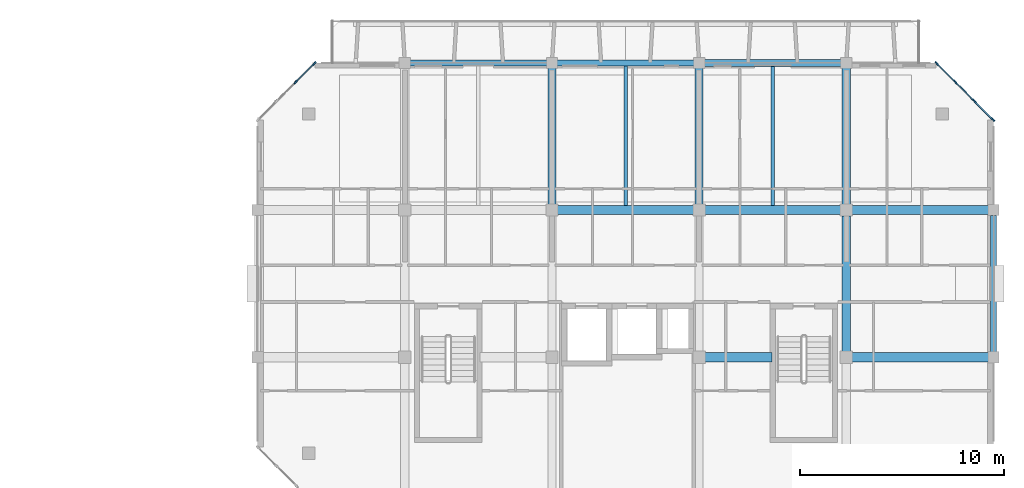
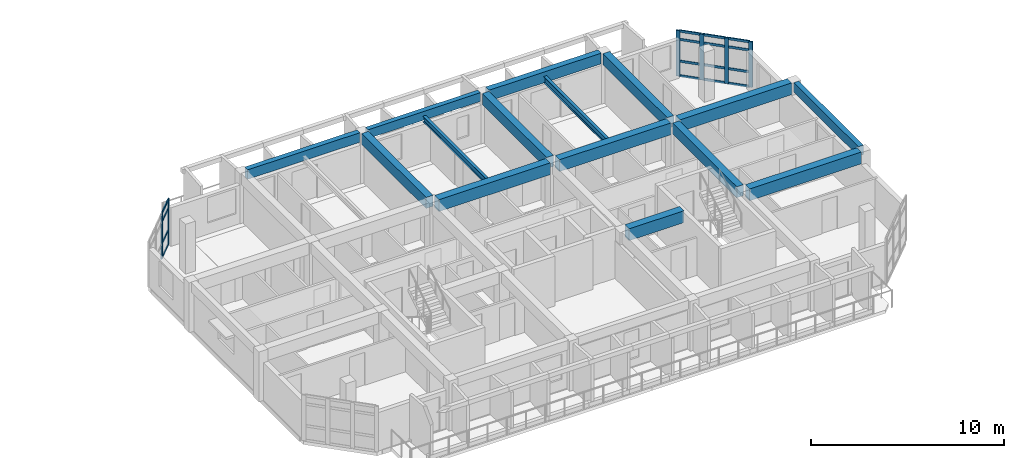
# One storey, part 9 of 43: 22 members, 15 beams, 2 elements without a shape of their own.
"""IFC4 building model written with IfcOpenShell, lengths in metres."""

from ifc_helpers import new_model, si_unit, direction, frame, origin, origin_2d, place, context, subcontext, project, spatial, rectangle, i_section, extrude, material, layer, layer_set, material_profile, profile_set, type_object, element, aggregate, save


model = new_model("IFC4")

# Units and contexts
model_context = context("Model", 3, precision=1e-05, world=origin(), true_north=direction((0.0, 1.0)))
body_context = subcontext(model_context, "Body", "Model", "MODEL_VIEW")
ifc_project = project(units=[si_unit("LENGTHUNIT", "METRE"), si_unit("AREAUNIT", "SQUARE_METRE"), si_unit("VOLUMEUNIT", "CUBIC_METRE"), si_unit("PLANEANGLEUNIT", "RADIAN"), si_unit("MASSUNIT", "GRAM", prefix="KILO")], contexts=[model_context])

# Site, building, storey
site_placement = place(None, origin())
site = spatial("IfcSite", under=ifc_project, at=site_placement, CompositionType="ELEMENT")
building_placement = place(site_placement, origin())
building = spatial("IfcBuilding", under=site, at=building_placement, Name="Ochrevale Crest", CompositionType="ELEMENT")
storey_placement = place(building_placement, frame((0.0, 0.0, 15.0)))
storey = spatial("IfcBuildingStorey", under=building, at=storey_placement, Name="L04", CompositionType="ELEMENT", Elevation=15.0)

# Beams
ifc_material_1 = material(Name="Precast concrete C50/60", Category="concrete")
ifc_material_profile_1 = material_profile(ifc_material_1, rectangle(XDim=0.39990234375, YDim=0.699951171875, at=origin_2d()), Name="PC 400x700")
ifc_profile_set_1 = profile_set([ifc_material_profile_1], Name="Precast concrete C50/60")
beam_type_1 = type_object("IfcBeamType", Name="BM-PC400x700", PredefinedType="BEAM", material=ifc_profile_set_1)
for number, where, z_axis, x_axis, name in (
    (1, (144.0, 86.679931640625, 2.800048828125), (0.0, 1.0, 0.0), (-1.0, 0.0, 0.0), "Block D L04 N-S beam X=144.0"),
    (2, (151.199951171875, 86.679931640625, 2.800048828125), (0.0, 1.0, 0.0), (-1.0, 0.0, 0.0), "Block D L04 N-S beam X=151.2"),
):
    element("IfcBeam", number, at=place(storey_placement, frame(where, z_axis=z_axis, x_axis=x_axis)), inside=storey, type_object=beam_type_1, Name=name, PredefinedType="BEAM", context=body_context, shape_type="SweptSolid", body=[
        extrude(rectangle(XDim=0.39990234375, YDim=0.699951171875, at=origin_2d()), origin(), (0.0, 0.0, 1.0), 6.6650390625),
    ])
beam_1_placement = place(storey_placement, frame((158.39990234375, 79.47998046875, 2.800048828125), z_axis=(0.0, 1.0, 0.0), x_axis=(-1.0, 0.0, 0.0)))
element("IfcBeam", 3, at=beam_1_placement, inside=storey, type_object=beam_type_1, Name="Block D L04 N-S beam X=158.4", PredefinedType="BEAM", context=body_context, shape_type="SweptSolid", body=[
    extrude(rectangle(XDim=0.39990234375, YDim=0.699951171875, at=origin_2d()), origin(), (0.0, 0.0, 1.0), 6.64013671875),
])
beam_2_placement = place(storey_placement, frame((158.39990234375, 86.679931640625, 2.800048828125), z_axis=(0.0, 1.0, 0.0), x_axis=(-1.0, 0.0, 0.0)))
element("IfcBeam", 4, at=beam_2_placement, inside=storey, type_object=beam_type_1, Name="Block D L04 N-S beam X=158.4", PredefinedType="BEAM", context=body_context, shape_type="SweptSolid", body=[
    extrude(rectangle(XDim=0.39990234375, YDim=0.699951171875, at=origin_2d()), origin(), (0.0, 0.0, 1.0), 6.6650390625),
])
ifc_material_2 = material(Name="Concrete C50/60", Category="concrete")
ifc_material_profile_2 = material_profile(ifc_material_2, rectangle(XDim=0.449951171875, YDim=0.75, at=origin_2d()), Name="RC 450x750")
ifc_profile_set_2 = profile_set([ifc_material_profile_2], Name="Concrete C50/60")
beam_type_2 = type_object("IfcBeamType", Name="BM-PG450x750", PredefinedType="USERDEFINED", material=ifc_profile_set_2)
beam_3_placement = place(storey_placement, frame((151.47509765625, 79.199951171875, 2.77490234375), z_axis=(1.0, 0.0, 0.0), x_axis=(0.0, 1.0, 0.0)))
element("IfcBeam", 5, at=beam_3_placement, inside=storey, type_object=beam_type_2, Name="Block D L04 E-W beam Y=79.2", ObjectType="GIRDER", PredefinedType="USERDEFINED", context=body_context, shape_type="SweptSolid", body=[
    extrude(rectangle(XDim=0.449951171875, YDim=0.75, at=origin_2d()), origin(), (0.0, 0.0, 1.0), 3.284912109375),
])
beam_4_placement = place(storey_placement, frame((158.675048828125, 79.199951171875, 2.77490234375), z_axis=(1.0, 0.0, 0.0), x_axis=(0.0, 1.0, 0.0)))
element("IfcBeam", 6, at=beam_4_placement, inside=storey, type_object=beam_type_2, Name="Block D L04 E-W beam Y=79.2", ObjectType="GIRDER", PredefinedType="USERDEFINED", context=body_context, shape_type="SweptSolid", body=[
    extrude(rectangle(XDim=0.449951171875, YDim=0.75, at=origin_2d()), origin(), (0.0, 0.0, 1.0), 6.675048828125),
])
beam_5_placement = place(storey_placement, frame((144.27490234375, 86.39990234375, 2.77490234375), z_axis=(1.0, 0.0, 0.0), x_axis=(0.0, 1.0, 0.0)))
element("IfcBeam", 7, at=beam_5_placement, inside=storey, type_object=beam_type_2, Name="Block D L04 E-W beam Y=86.4", ObjectType="GIRDER", PredefinedType="USERDEFINED", context=body_context, shape_type="SweptSolid", body=[
    extrude(rectangle(XDim=0.449951171875, YDim=0.75, at=origin_2d()), origin(), (0.0, 0.0, 1.0), 6.650146484375),
])
beam_6_placement = place(storey_placement, frame((151.47509765625, 86.39990234375, 2.77490234375), z_axis=(1.0, 0.0, 0.0), x_axis=(0.0, 1.0, 0.0)))
element("IfcBeam", 8, at=beam_6_placement, inside=storey, type_object=beam_type_2, Name="Block D L04 E-W beam Y=86.4", ObjectType="GIRDER", PredefinedType="USERDEFINED", context=body_context, shape_type="SweptSolid", body=[
    extrude(rectangle(XDim=0.449951171875, YDim=0.75, at=origin_2d()), origin(), (0.0, 0.0, 1.0), 6.64990234375),
])
beam_7_placement = place(storey_placement, frame((158.675048828125, 86.39990234375, 2.77490234375), z_axis=(1.0, 0.0, 0.0), x_axis=(0.0, 1.0, 0.0)))
element("IfcBeam", 9, at=beam_7_placement, inside=storey, type_object=beam_type_2, Name="Block D L04 E-W beam Y=86.4", ObjectType="GIRDER", PredefinedType="USERDEFINED", context=body_context, shape_type="SweptSolid", body=[
    extrude(rectangle(XDim=0.449951171875, YDim=0.75, at=origin_2d()), origin(), (0.0, 0.0, 1.0), 6.675048828125),
])
ifc_material_3 = material(Name="Precast concrete C40/50", Category="concrete")
ifc_material_profile_3 = material_profile(ifc_material_3, rectangle(XDim=0.280029296875, YDim=0.550048828125, at=origin_2d()), Name="PC 280x550")
ifc_profile_set_3 = profile_set([ifc_material_profile_3], Name="Precast concrete C40/50")
beam_type_3 = type_object("IfcBeamType", Name="BM-SP280x550", PredefinedType="SPANDREL", material=ifc_profile_set_3)
beam_8_placement = place(storey_placement, frame((144.25, 93.60009765625, 2.875), z_axis=(1.0, 0.0, 0.0), x_axis=(0.0, 1.0, 0.0)))
element("IfcBeam", 10, at=beam_8_placement, inside=storey, type_object=beam_type_3, Name="Block D L04 E-W beam Y=93.6", PredefinedType="SPANDREL", context=body_context, shape_type="SweptSolid", body=[
    extrude(rectangle(XDim=0.280029296875, YDim=0.550048828125, at=origin_2d()), origin(), (0.0, 0.0, 1.0), 6.699951171875),
])
ifc_material_profile_4 = material_profile(ifc_material_3, rectangle(XDim=0.300048828125, YDim=0.60009765625, at=origin_2d()), Name="PC 300x600")
ifc_profile_set_4 = profile_set([ifc_material_profile_4], Name="Precast concrete C40/50")
beam_type_4 = type_object("IfcBeamType", Name="BM-SP300x600", PredefinedType="SPANDREL", material=ifc_profile_set_4)
beam_9_placement = place(storey_placement, frame((137.050048828125, 93.60009765625, 2.85009765625), z_axis=(1.0, 0.0, 0.0), x_axis=(0.0, 1.0, 0.0)))
element("IfcBeam", 11, at=beam_9_placement, inside=storey, type_object=beam_type_4, Name="Block D L04 E-W beam Y=93.6", PredefinedType="SPANDREL", context=body_context, shape_type="SweptSolid", body=[
    extrude(rectangle(XDim=0.300048828125, YDim=0.60009765625, at=origin_2d()), origin(), (0.0, 0.0, 1.0), 6.699951171875),
])
beam_10_placement = place(storey_placement, frame((165.60009765625, 79.455078125, 2.85009765625), z_axis=(0.0, 1.0, 0.0), x_axis=(-1.0, 0.0, 0.0)))
element("IfcBeam", 12, at=beam_10_placement, inside=storey, type_object=beam_type_4, Name="Block D L04 N-S beam X=165.6", PredefinedType="SPANDREL", context=body_context, shape_type="SweptSolid", body=[
    extrude(rectangle(XDim=0.300048828125, YDim=0.60009765625, at=origin_2d()), origin(), (0.0, 0.0, 1.0), 6.68994140625),
])
ifc_material_profile_5 = material_profile(ifc_material_3, rectangle(XDim=0.35009765625, YDim=0.679931640625, at=origin_2d()), Name="PC 350x680")
ifc_profile_set_5 = profile_set([ifc_material_profile_5], Name="Precast concrete C40/50")
beam_type_5 = type_object("IfcBeamType", Name="BM-SP350x680", PredefinedType="SPANDREL", material=ifc_profile_set_5)
beam_11_placement = place(storey_placement, frame((151.449951171875, 93.60009765625, 2.81005859375), z_axis=(1.0, 0.0, 0.0), x_axis=(0.0, 1.0, 0.0)))
element("IfcBeam", 13, at=beam_11_placement, inside=storey, type_object=beam_type_5, Name="Block D L04 E-W beam Y=93.6", PredefinedType="SPANDREL", context=body_context, shape_type="SweptSolid", body=[
    extrude(rectangle(XDim=0.35009765625, YDim=0.679931640625, at=origin_2d()), origin(), (0.0, 0.0, 1.0), 6.699951171875),
])
ifc_material_4 = material(Name="Steel S355", Category="steel")
ifc_material_profile_6 = material_profile(ifc_material_4, i_section(OverallWidth=0.172119140625, OverallDepth=0.358642578125, WebThickness=0.008056640625, FlangeThickness=0.012939453125, FilletRadius=0.011474609375, at=origin_2d()), Name="360UB56.7")
ifc_profile_set_6 = profile_set([ifc_material_profile_6], Name="Steel S355")
beam_type_6 = type_object("IfcBeamType", Name="BM-UB360B", PredefinedType="BEAM", material=ifc_profile_set_6)
beam_12_placement = place(storey_placement, frame((147.60009765625, 86.613037109375, 2.69580078125), z_axis=(0.0, 1.0, 0.0), x_axis=(-1.0, 0.0, 0.0)))
element("IfcBeam", 14, at=beam_12_placement, inside=storey, type_object=beam_type_6, Name="Block D L04 composite plank trimmer beam 3", PredefinedType="BEAM", context=body_context, shape_type="SweptSolid", body=[
    extrude(i_section(OverallWidth=0.172119140625, OverallDepth=0.358642578125, WebThickness=0.008056640625, FlangeThickness=0.012939453125, FilletRadius=0.011474609375, at=origin_2d()), origin(), (0.0, 0.0, 1.0), 6.85888671875),
])
ifc_material_profile_7 = material_profile(ifc_material_4, i_section(OverallWidth=0.177734375, OverallDepth=0.402587890625, WebThickness=0.007568359375, FlangeThickness=0.010986328125, FilletRadius=0.011474609375, at=origin_2d()), Name="410UB53.7")
ifc_profile_set_7 = profile_set([ifc_material_profile_7], Name="Steel S355")
beam_type_7 = type_object("IfcBeamType", Name="BM-UB410A", PredefinedType="BEAM", material=ifc_profile_set_7)
beam_13_placement = place(storey_placement, frame((154.800048828125, 86.613037109375, 2.673583984375), z_axis=(0.0, 1.0, 0.0), x_axis=(-1.0, 0.0, 0.0)))
element("IfcBeam", 15, at=beam_13_placement, inside=storey, type_object=beam_type_7, Name="Block D L04 composite plank trimmer beam 4", PredefinedType="BEAM", context=body_context, shape_type="SweptSolid", body=[
    extrude(i_section(OverallWidth=0.177734375, OverallDepth=0.402587890625, WebThickness=0.007568359375, FlangeThickness=0.010986328125, FilletRadius=0.011474609375, at=origin_2d()), origin(), (0.0, 0.0, 1.0), 6.823974609375),
])

# Curtain wall, members
ifc_material_5 = material(Name="Anodised aluminium 6063-T5", Category="aluminium")
ifc_layer_1 = layer(ifc_material_5, 0.14990234375)
ifc_layer_set_1 = layer_set([ifc_layer_1], Name="Anodised aluminium 6063-T5")
curtain_wall_type_1 = type_object("IfcCurtainWallType", Name="CW-WG-360x285", PredefinedType="NOTDEFINED", material=ifc_layer_set_1)
curtain_wall_1_placement = place(storey_placement, origin())
curtain_wall_1 = element("IfcCurtainWall", 16, at=curtain_wall_1_placement, inside=storey, type_object=curtain_wall_type_1, Name="Block D L04 chamfered corner wintergarden curtain wall 4", PredefinedType="NOTDEFINED")
ifc_material_profile_8 = material_profile(ifc_material_5, rectangle(XDim=0.074951171875, YDim=0.219970703125, at=origin_2d()), Name="ALU 75x220")
ifc_profile_set_8 = profile_set([ifc_material_profile_8], Name="Anodised aluminium 6063-T5")
member_type_1 = type_object("IfcMemberType", Name="CW-MUL-75x220", PredefinedType="MULLION", material=ifc_profile_set_8)
member_1_placement = place(storey_placement, frame((165.573486328125, 90.826416015625, 0.0), z_axis=(0.0, 0.0, 1.0), x_axis=(-0.707106781187, -0.707106781187, 0.0)))
member_1 = element("IfcMember", 17, at=member_1_placement, type_object=member_type_1, Name="CW18 mullion 1", PredefinedType="MULLION", context=body_context, shape_type="SweptSolid", body=[
    extrude(rectangle(XDim=0.074951171875, YDim=0.219970703125, at=origin_2d()), origin(), (0.0, 0.0, 1.0), 2.875),
])
member_2_placement = place(storey_placement, frame((164.666748046875, 91.7333984375, 0.0), z_axis=(0.0, 0.0, 1.0), x_axis=(-0.707106781187, -0.707106781187, 0.0)))
member_2 = element("IfcMember", 18, at=member_2_placement, type_object=member_type_1, Name="CW18 mullion 2", PredefinedType="MULLION", context=body_context, shape_type="SweptSolid", body=[
    extrude(rectangle(XDim=0.074951171875, YDim=0.219970703125, at=origin_2d()), origin(), (0.0, 0.0, 1.0), 2.875),
])
member_3_placement = place(storey_placement, frame((163.7333984375, 92.666748046875, 0.0), z_axis=(0.0, 0.0, 1.0), x_axis=(-0.707106781187, -0.707106781187, 0.0)))
member_3 = element("IfcMember", 19, at=member_3_placement, type_object=member_type_1, Name="CW18 mullion 3", PredefinedType="MULLION", context=body_context, shape_type="SweptSolid", body=[
    extrude(rectangle(XDim=0.074951171875, YDim=0.219970703125, at=origin_2d()), origin(), (0.0, 0.0, 1.0), 2.875),
])
member_4_placement = place(storey_placement, frame((162.826416015625, 93.573486328125, 0.0), z_axis=(0.0, 0.0, 1.0), x_axis=(-0.707106781187, -0.707106781187, 0.0)))
member_4 = element("IfcMember", 20, at=member_4_placement, type_object=member_type_1, Name="CW18 mullion 4", PredefinedType="MULLION", context=body_context, shape_type="SweptSolid", body=[
    extrude(rectangle(XDim=0.074951171875, YDim=0.219970703125, at=origin_2d()), origin(), (0.0, 0.0, 1.0), 2.875),
])

ifc_layer_2 = layer(ifc_material_5, 0.14990234375)
ifc_layer_set_2 = layer_set([ifc_layer_2], Name="Anodised aluminium 6063-T5")
curtain_wall_type_2 = type_object("IfcCurtainWallType", Name="CW-WG-240x285", PredefinedType="NOTDEFINED", material=ifc_layer_set_2)
curtain_wall_2_placement = place(storey_placement, origin())
curtain_wall_2 = element("IfcCurtainWall", 21, at=curtain_wall_2_placement, inside=storey, type_object=curtain_wall_type_2, Name="Block D L04 chamfered corner wintergarden curtain wall 6", PredefinedType="NOTDEFINED")
member_5_placement = place(storey_placement, frame((132.37353515625, 93.573486328125, 0.0), z_axis=(0.0, 0.0, 1.0), x_axis=(0.707106781187, -0.707106781187, 0.0)))
member_5 = element("IfcMember", 22, at=member_5_placement, type_object=member_type_1, Name="CW15 mullion 1", PredefinedType="MULLION", context=body_context, shape_type="SweptSolid", body=[
    extrude(rectangle(XDim=0.074951171875, YDim=0.219970703125, at=origin_2d()), origin(), (0.0, 0.0, 1.0), 2.875),
])
member_6_placement = place(storey_placement, frame((131.466552734375, 92.666748046875, 0.0), z_axis=(0.0, 0.0, 1.0), x_axis=(0.707106781187, -0.707106781187, 0.0)))
member_6 = element("IfcMember", 23, at=member_6_placement, type_object=member_type_1, Name="CW15 mullion 2", PredefinedType="MULLION", context=body_context, shape_type="SweptSolid", body=[
    extrude(rectangle(XDim=0.074951171875, YDim=0.219970703125, at=origin_2d()), origin(), (0.0, 0.0, 1.0), 2.875),
])

# Member
ifc_material_profile_9 = material_profile(ifc_material_5, rectangle(XDim=0.06005859375, YDim=0.14990234375, at=origin_2d()), Name="ALU 60x150")
ifc_profile_set_9 = profile_set([ifc_material_profile_9], Name="Anodised aluminium 6063-T5")
member_type_2 = type_object("IfcMemberType", Name="CW-TRN-60x150", PredefinedType="USERDEFINED", material=ifc_profile_set_9)
member_7_placement = place(storey_placement, frame((165.546875, 90.85302734375, 0.030029296875), z_axis=(-0.707106781187, 0.707106781187, 0.0), x_axis=(-0.707106781187, -0.707106781187, 0.0)))
member_7 = element("IfcMember", 24, at=member_7_placement, type_object=member_type_2, Name="CW18 transom 1.1", ObjectType="TRANSOM", PredefinedType="USERDEFINED", context=body_context, shape_type="SweptSolid", body=[
    extrude(rectangle(XDim=0.06005859375, YDim=0.14990234375, at=origin_2d()), origin(), (0.0, 0.0, 1.0), 1.20751953125),
])

member_8_placement = place(storey_placement, frame((165.546875, 90.85302734375, 0.949951171875), z_axis=(-0.707106781187, 0.707106781187, 0.0), x_axis=(-0.707106781187, -0.707106781187, 0.0)))
member_8 = element("IfcMember", 25, at=member_8_placement, type_object=member_type_2, Name="CW18 transom 1.2", ObjectType="TRANSOM", PredefinedType="USERDEFINED", context=body_context, shape_type="SweptSolid", body=[
    extrude(rectangle(XDim=0.06005859375, YDim=0.14990234375, at=origin_2d()), origin(), (0.0, 0.0, 1.0), 1.20751953125),
])

member_9_placement = place(storey_placement, frame((165.546875, 90.85302734375, 2.324951171875), z_axis=(-0.707106781187, 0.707106781187, 0.0), x_axis=(-0.707106781187, -0.707106781187, 0.0)))
member_9 = element("IfcMember", 26, at=member_9_placement, type_object=member_type_2, Name="CW18 transom 1.3", ObjectType="TRANSOM", PredefinedType="USERDEFINED", context=body_context, shape_type="SweptSolid", body=[
    extrude(rectangle(XDim=0.06005859375, YDim=0.14990234375, at=origin_2d()), origin(), (0.0, 0.0, 1.0), 1.20751953125),
])

member_10_placement = place(storey_placement, frame((165.546875, 90.85302734375, 2.844970703125), z_axis=(-0.707106781187, 0.707106781187, 0.0), x_axis=(-0.707106781187, -0.707106781187, 0.0)))
member_10 = element("IfcMember", 27, at=member_10_placement, type_object=member_type_2, Name="CW18 transom 1.4", ObjectType="TRANSOM", PredefinedType="USERDEFINED", context=body_context, shape_type="SweptSolid", body=[
    extrude(rectangle(XDim=0.06005859375, YDim=0.14990234375, at=origin_2d()), origin(), (0.0, 0.0, 1.0), 1.20751953125),
])

member_11_placement = place(storey_placement, frame((164.64013671875, 91.759765625, 0.030029296875), z_axis=(-0.707106781187, 0.707106781187, 0.0), x_axis=(-0.707106781187, -0.707106781187, 0.0)))
member_11 = element("IfcMember", 28, at=member_11_placement, type_object=member_type_2, Name="CW18 transom 2.1", ObjectType="TRANSOM", PredefinedType="USERDEFINED", context=body_context, shape_type="SweptSolid", body=[
    extrude(rectangle(XDim=0.06005859375, YDim=0.14990234375, at=origin_2d()), origin(), (0.0, 0.0, 1.0), 1.2451171875),
])

member_12_placement = place(storey_placement, frame((164.64013671875, 91.759765625, 0.949951171875), z_axis=(-0.707106781187, 0.707106781187, 0.0), x_axis=(-0.707106781187, -0.707106781187, 0.0)))
member_12 = element("IfcMember", 29, at=member_12_placement, type_object=member_type_2, Name="CW18 transom 2.2", ObjectType="TRANSOM", PredefinedType="USERDEFINED", context=body_context, shape_type="SweptSolid", body=[
    extrude(rectangle(XDim=0.06005859375, YDim=0.14990234375, at=origin_2d()), origin(), (0.0, 0.0, 1.0), 1.2451171875),
])

member_13_placement = place(storey_placement, frame((164.64013671875, 91.759765625, 2.324951171875), z_axis=(-0.707106781187, 0.707106781187, 0.0), x_axis=(-0.707106781187, -0.707106781187, 0.0)))
member_13 = element("IfcMember", 30, at=member_13_placement, type_object=member_type_2, Name="CW18 transom 2.3", ObjectType="TRANSOM", PredefinedType="USERDEFINED", context=body_context, shape_type="SweptSolid", body=[
    extrude(rectangle(XDim=0.06005859375, YDim=0.14990234375, at=origin_2d()), origin(), (0.0, 0.0, 1.0), 1.2451171875),
])

member_14_placement = place(storey_placement, frame((164.64013671875, 91.759765625, 2.844970703125), z_axis=(-0.707106781187, 0.707106781187, 0.0), x_axis=(-0.707106781187, -0.707106781187, 0.0)))
member_14 = element("IfcMember", 31, at=member_14_placement, type_object=member_type_2, Name="CW18 transom 2.4", ObjectType="TRANSOM", PredefinedType="USERDEFINED", context=body_context, shape_type="SweptSolid", body=[
    extrude(rectangle(XDim=0.06005859375, YDim=0.14990234375, at=origin_2d()), origin(), (0.0, 0.0, 1.0), 1.2451171875),
])

member_15_placement = place(storey_placement, frame((163.706787109375, 92.693115234375, 0.030029296875), z_axis=(-0.707106781187, 0.707106781187, 0.0), x_axis=(-0.707106781187, -0.707106781187, 0.0)))
member_15 = element("IfcMember", 32, at=member_15_placement, type_object=member_type_2, Name="CW18 transom 3.1", ObjectType="TRANSOM", PredefinedType="USERDEFINED", context=body_context, shape_type="SweptSolid", body=[
    extrude(rectangle(XDim=0.06005859375, YDim=0.14990234375, at=origin_2d()), origin(), (0.0, 0.0, 1.0), 1.20751953125),
])

member_16_placement = place(storey_placement, frame((163.706787109375, 92.693115234375, 0.949951171875), z_axis=(-0.707106781187, 0.707106781187, 0.0), x_axis=(-0.707106781187, -0.707106781187, 0.0)))
member_16 = element("IfcMember", 33, at=member_16_placement, type_object=member_type_2, Name="CW18 transom 3.2", ObjectType="TRANSOM", PredefinedType="USERDEFINED", context=body_context, shape_type="SweptSolid", body=[
    extrude(rectangle(XDim=0.06005859375, YDim=0.14990234375, at=origin_2d()), origin(), (0.0, 0.0, 1.0), 1.20751953125),
])

member_17_placement = place(storey_placement, frame((163.706787109375, 92.693115234375, 2.324951171875), z_axis=(-0.707106781187, 0.707106781187, 0.0), x_axis=(-0.707106781187, -0.707106781187, 0.0)))
member_17 = element("IfcMember", 34, at=member_17_placement, type_object=member_type_2, Name="CW18 transom 3.3", ObjectType="TRANSOM", PredefinedType="USERDEFINED", context=body_context, shape_type="SweptSolid", body=[
    extrude(rectangle(XDim=0.06005859375, YDim=0.14990234375, at=origin_2d()), origin(), (0.0, 0.0, 1.0), 1.20751953125),
])

member_18_placement = place(storey_placement, frame((163.706787109375, 92.693115234375, 2.844970703125), z_axis=(-0.707106781187, 0.707106781187, 0.0), x_axis=(-0.707106781187, -0.707106781187, 0.0)))
member_18 = element("IfcMember", 35, at=member_18_placement, type_object=member_type_2, Name="CW18 transom 3.4", ObjectType="TRANSOM", PredefinedType="USERDEFINED", context=body_context, shape_type="SweptSolid", body=[
    extrude(rectangle(XDim=0.06005859375, YDim=0.14990234375, at=origin_2d()), origin(), (0.0, 0.0, 1.0), 1.20751953125),
])

aggregate(curtain_wall_1, [member_1, member_2, member_3, member_4, member_7, member_8, member_9, member_10, member_11, member_12, member_13, member_14, member_15, member_16, member_17, member_18])

member_19_placement = place(storey_placement, frame((132.346923828125, 93.546875, 0.030029296875), z_axis=(-0.707106781187, -0.707106781187, 0.0), x_axis=(0.707106781187, -0.707106781187, 0.0)))
member_19 = element("IfcMember", 36, at=member_19_placement, type_object=member_type_2, Name="CW15 transom 1.1", ObjectType="TRANSOM", PredefinedType="USERDEFINED", context=body_context, shape_type="SweptSolid", body=[
    extrude(rectangle(XDim=0.06005859375, YDim=0.14990234375, at=origin_2d()), origin(), (0.0, 0.0, 1.0), 1.20751953125),
])

member_20_placement = place(storey_placement, frame((132.346923828125, 93.546875, 0.949951171875), z_axis=(-0.707106781187, -0.707106781187, 0.0), x_axis=(0.707106781187, -0.707106781187, 0.0)))
member_20 = element("IfcMember", 37, at=member_20_placement, type_object=member_type_2, Name="CW15 transom 1.2", ObjectType="TRANSOM", PredefinedType="USERDEFINED", context=body_context, shape_type="SweptSolid", body=[
    extrude(rectangle(XDim=0.06005859375, YDim=0.14990234375, at=origin_2d()), origin(), (0.0, 0.0, 1.0), 1.20751953125),
])

member_21_placement = place(storey_placement, frame((132.346923828125, 93.546875, 2.324951171875), z_axis=(-0.707106781187, -0.707106781187, 0.0), x_axis=(0.707106781187, -0.707106781187, 0.0)))
member_21 = element("IfcMember", 38, at=member_21_placement, type_object=member_type_2, Name="CW15 transom 1.3", ObjectType="TRANSOM", PredefinedType="USERDEFINED", context=body_context, shape_type="SweptSolid", body=[
    extrude(rectangle(XDim=0.06005859375, YDim=0.14990234375, at=origin_2d()), origin(), (0.0, 0.0, 1.0), 1.20751953125),
])

member_22_placement = place(storey_placement, frame((132.346923828125, 93.546875, 2.844970703125), z_axis=(-0.707106781187, -0.707106781187, 0.0), x_axis=(0.707106781187, -0.707106781187, 0.0)))
member_22 = element("IfcMember", 39, at=member_22_placement, type_object=member_type_2, Name="CW15 transom 1.4", ObjectType="TRANSOM", PredefinedType="USERDEFINED", context=body_context, shape_type="SweptSolid", body=[
    extrude(rectangle(XDim=0.06005859375, YDim=0.14990234375, at=origin_2d()), origin(), (0.0, 0.0, 1.0), 1.20751953125),
])

aggregate(curtain_wall_2, [member_5, member_6, member_19, member_20, member_21, member_22])

save(model, "model.ifc")
